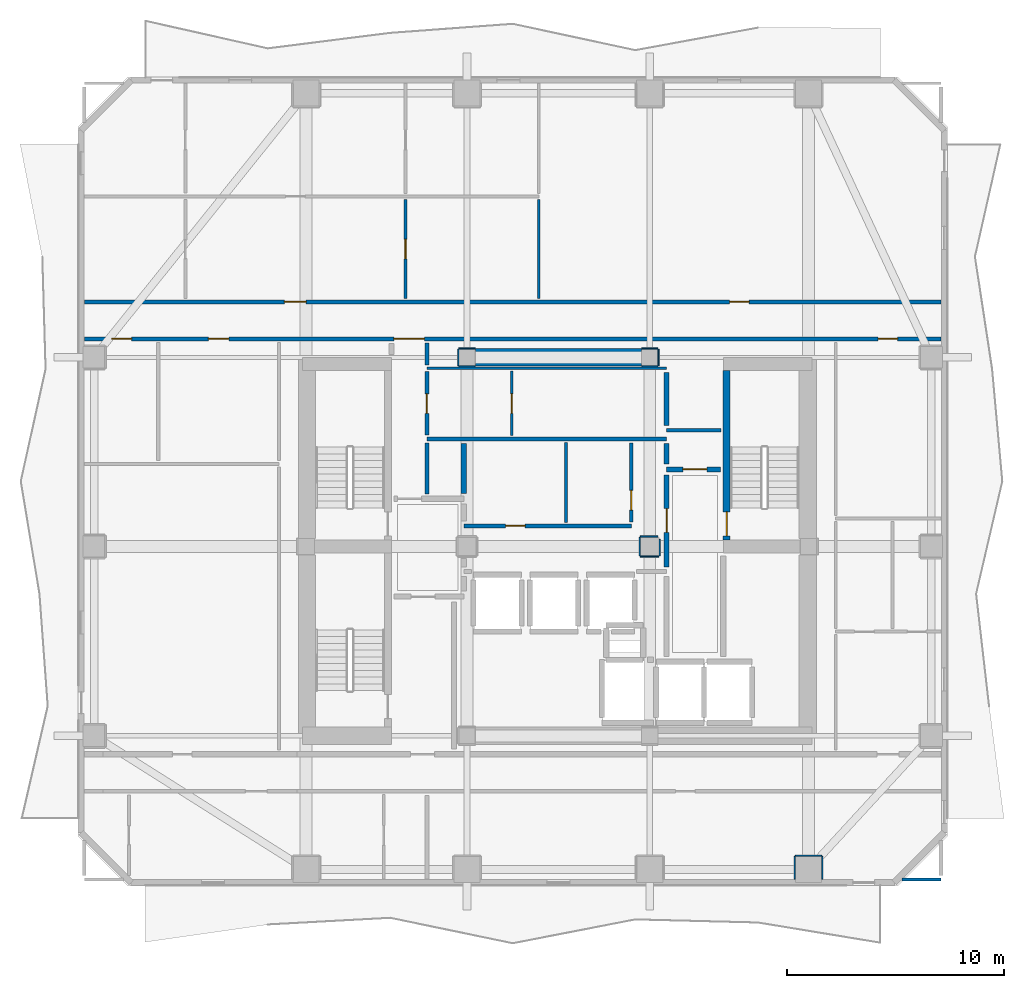
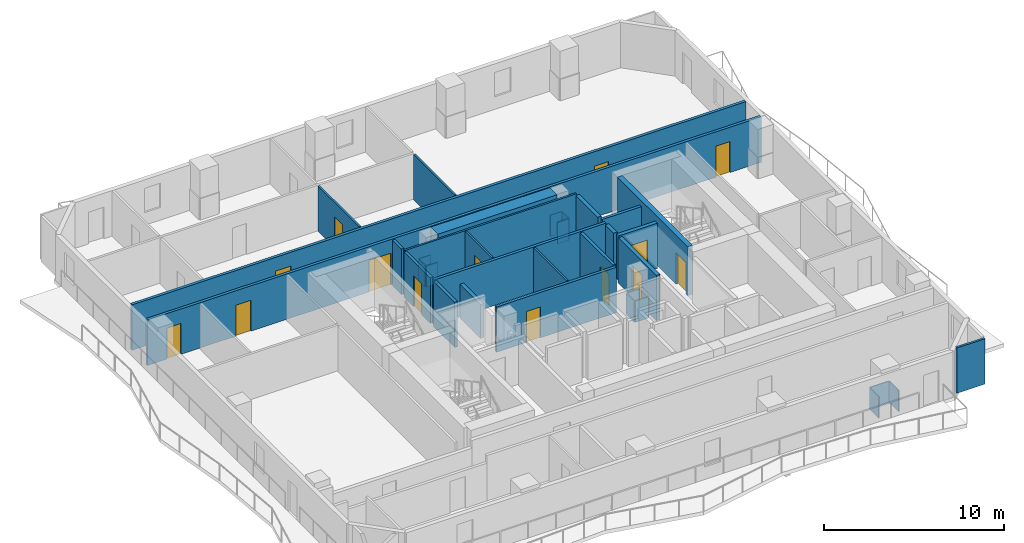
# One storey, part 4 of 10: 35 walls, 14 doors, 14 openings.
"""IFC4 building model written with IfcOpenShell, lengths in metres."""

from ifc_helpers import new_model, si_unit, direction, frame, frame_2d, origin, place, context, subcontext, project, spatial, rectangle, extrude, material, layer, layer_set, type_object, element, fill, save


model = new_model("IFC4")

# Units and contexts
model_context = context("Model", 3, precision=1e-05, world=origin(), true_north=direction((0.0, 1.0)))
body_context = subcontext(model_context, "Body", "Model", "MODEL_VIEW")
ifc_project = project(units=[si_unit("LENGTHUNIT", "METRE"), si_unit("AREAUNIT", "SQUARE_METRE"), si_unit("VOLUMEUNIT", "CUBIC_METRE"), si_unit("PLANEANGLEUNIT", "RADIAN"), si_unit("MASSUNIT", "GRAM", prefix="KILO")], contexts=[model_context])

# Site, building, storey
site_placement = place(None, origin())
site = spatial("IfcSite", under=ifc_project, at=site_placement, CompositionType="ELEMENT")
building_placement = place(site_placement, origin())
building = spatial("IfcBuilding", under=site, at=building_placement, Name="Solanera Arch Residences", CompositionType="ELEMENT")
storey_placement = place(building_placement, frame((0.0, 0.0, 183.52001953125)))
storey = spatial("IfcBuildingStorey", under=building, at=storey_placement, Name="L53", CompositionType="ELEMENT", Elevation=183.52001953125)

# Walls
ifc_material_1 = material(Name="Fire-Rated Gypsum Stud Partition", Category="gypsum")
ifc_layer_1 = layer(ifc_material_1, 0.06005859375)
ifc_layer_set_1 = layer_set([ifc_layer_1], Name="Fire-Rated Gypsum Stud Partition")
wall_type_1 = type_object("IfcWallType", Name="Column Acoustic Furring Wall 60", PredefinedType="PARTITIONING", material=ifc_layer_set_1)
for number, where, z_axis, x_axis, name in (
    (1, (20.425048828125, 38.992919921875, 0.0), (0.0, 0.0, 1.0), (1.0, 0.0, 0.0), "L53 Column Furring 3S"),
    (2, (20.425048828125, 39.806884765625, 0.0), (0.0, 0.0, 1.0), (1.0, 0.0, 0.0), "L53 Column Furring 3N"),
):
    element("IfcWall", number, at=place(storey_placement, frame(where, z_axis=z_axis, x_axis=x_axis)), inside=storey, type_object=wall_type_1, Name=name, PredefinedType="PARTITIONING", context=body_context, shape_type="SweptSolid", body=[
        extrude(rectangle(XDim=0.741943359375, YDim=0.06005859375, at=frame_2d((0.37109375, 0.0))), origin(), (0.0, 0.0, 1.0), 1.449951171875),
    ])
wall_1_placement = place(storey_placement, frame((20.39306640625, 39.02490234375, 0.0), z_axis=(0.0, 0.0, 1.0), x_axis=(0.0, 1.0, 0.0)))
element("IfcWall", 3, at=wall_1_placement, inside=storey, type_object=wall_type_1, Name="L53 Column Furring 3W", PredefinedType="PARTITIONING", context=body_context, shape_type="SweptSolid", body=[
    extrude(rectangle(XDim=0.75, YDim=0.06005859375, at=frame_2d((0.375, 0.0))), origin(), (0.0, 0.0, 1.0), 1.449951171875),
])
for number, where, z_axis, x_axis, name in (
    (4, (28.8330078125, 38.992919921875, 0.0), (0.0, 0.0, 1.0), (1.0, 0.0, 0.0), "L53 Column Furring 4S"),
    (5, (28.8330078125, 39.806884765625, 0.0), (0.0, 0.0, 1.0), (1.0, 0.0, 0.0), "L53 Column Furring 4N"),
):
    element("IfcWall", number, at=place(storey_placement, frame(where, z_axis=z_axis, x_axis=x_axis)), inside=storey, type_object=wall_type_1, Name=name, PredefinedType="PARTITIONING", context=body_context, shape_type="SweptSolid", body=[
        extrude(rectangle(XDim=0.741943359375, YDim=0.06005859375, at=frame_2d((0.37109375, 0.0))), origin(), (0.0, 0.0, 1.0), 1.449951171875),
    ])
wall_2_placement = place(storey_placement, frame((29.60693359375, 39.02490234375, 0.0), z_axis=(0.0, 0.0, 1.0), x_axis=(0.0, 1.0, 0.0)))
element("IfcWall", 6, at=wall_2_placement, inside=storey, type_object=wall_type_1, Name="L53 Column Furring 4E", PredefinedType="PARTITIONING", context=body_context, shape_type="SweptSolid", body=[
    extrude(rectangle(XDim=0.75, YDim=0.06005859375, at=frame_2d((0.375, 0.0))), origin(), (0.0, 0.0, 1.0), 1.449951171875),
])
wall_3_placement = place(storey_placement, frame((28.77490234375, 30.242919921875, 0.0), z_axis=(0.0, 0.0, 1.0), x_axis=(1.0, 0.0, 0.0)))
element("IfcWall", 7, at=wall_3_placement, inside=storey, type_object=wall_type_1, Name="L53 Column Furring 8S", PredefinedType="PARTITIONING", context=body_context, shape_type="SweptSolid", body=[
    extrude(rectangle(XDim=0.85009765625, YDim=0.06005859375, at=frame_2d((0.425048828125, 0.0))), origin(), (0.0, 0.0, 1.0), 1.449951171875),
])
wall_4_placement = place(storey_placement, frame((28.77490234375, 31.156982421875, 0.0), z_axis=(0.0, 0.0, 1.0), x_axis=(1.0, 0.0, 0.0)))
element("IfcWall", 8, at=wall_4_placement, inside=storey, type_object=wall_type_1, Name="L53 Column Furring 8N", PredefinedType="PARTITIONING", context=body_context, shape_type="SweptSolid", body=[
    extrude(rectangle(XDim=0.794189453125, YDim=0.06005859375, at=frame_2d((0.39697265625, 0.0))), origin(), (0.0, 0.0, 1.0), 1.449951171875),
])
wall_5_placement = place(storey_placement, frame((28.742919921875, 30.27490234375, 0.0), z_axis=(0.0, 0.0, 1.0), x_axis=(0.0, 1.0, 0.0)))
element("IfcWall", 9, at=wall_5_placement, inside=storey, type_object=wall_type_1, Name="L53 Column Furring 8W", PredefinedType="PARTITIONING", context=body_context, shape_type="SweptSolid", body=[
    extrude(rectangle(XDim=0.85009765625, YDim=0.06005859375, at=frame_2d((0.425048828125, 0.0))), origin(), (0.0, 0.0, 1.0), 1.449951171875),
])
wall_6_placement = place(storey_placement, frame((29.656982421875, 30.27490234375, 0.0), z_axis=(0.0, 0.0, 1.0), x_axis=(0.0, 1.0, 0.0)))
element("IfcWall", 10, at=wall_6_placement, inside=storey, type_object=wall_type_1, Name="L53 Column Furring 8E", PredefinedType="PARTITIONING", context=body_context, shape_type="SweptSolid", body=[
    extrude(rectangle(XDim=0.757080078125, YDim=0.06005859375, at=frame_2d((0.37841796875, 0.0))), origin(), (0.0, 0.0, 1.0), 1.449951171875),
])
wall_7_placement = place(storey_placement, frame((35.89990234375, 16.48193359375, 0.0), z_axis=(0.0, 0.0, 1.0), x_axis=(1.0, 0.0, 0.0)))
element("IfcWall", 11, at=wall_7_placement, inside=storey, type_object=wall_type_1, Name="L53 Column Furring 15N", PredefinedType="PARTITIONING", context=body_context, shape_type="SweptSolid", body=[
    extrude(rectangle(XDim=1.2001953125, YDim=0.06005859375, at=frame_2d((0.60009765625, 0.0))), origin(), (0.0, 0.0, 1.0), 1.449951171875),
])
for number, where, z_axis, x_axis, name in (
    (12, (35.867919921875, 15.409912109375, 0.0), (0.0, 0.0, 1.0), (0.0, 1.0, 0.0), "L53 Column Furring 15W"),
    (13, (37.132080078125, 15.409912109375, 0.0), (0.0, 0.0, 1.0), (0.0, 1.0, 0.0), "L53 Column Furring 15E"),
):
    element("IfcWall", number, at=place(storey_placement, frame(where, z_axis=z_axis, x_axis=x_axis)), inside=storey, type_object=wall_type_1, Name=name, PredefinedType="PARTITIONING", context=body_context, shape_type="SweptSolid", body=[
        extrude(rectangle(XDim=1.0400390625, YDim=0.06005859375, at=frame_2d((0.52001953125, 0.0))), origin(), (0.0, 0.0, 1.0), 1.449951171875),
    ])

# Wall, opening, door
ifc_material_2 = material(Name="Concrete C40/50 (f'c = 45 MPa)", Category="concrete")
ifc_layer_2 = layer(ifc_material_2, 0.320068359375)
ifc_layer_set_2 = layer_set([ifc_layer_2], Name="Concrete C40/50 (f'c = 45 MPa)")
wall_type_2 = type_object("IfcWallType", Name="Core Shear Wall CW-320", PredefinedType="SHEAR", material=ifc_layer_set_2)
wall_8_placement = place(storey_placement, frame((32.739990234375, 31.0, 0.0), z_axis=(0.0, 0.0, 1.0), x_axis=(0.0, 1.0, 0.0)))
wall_8 = element("IfcWall", 14, at=wall_8_placement, inside=storey, type_object=wall_type_2, Name="L53 Stair ST-T2 West Shear Wall", PredefinedType="SHEAR", context=body_context, shape_type="SweptSolid", body=[
    extrude(rectangle(XDim=7.800048828125, YDim=0.320068359375, at=frame_2d((3.89990234375, 0.0))), origin(), (0.0, 0.0, 1.0), 3.320068359375),
])
opening_1_placement = place(wall_8_placement, frame((0.18994140625, 0.0, 0.0)))
opening_1 = element("IfcOpeningElement", 15, at=opening_1_placement, cuts=wall_8, Name="Opening DF-01", PredefinedType="OPENING", context=body_context, shape_type="SweptSolid", body=[
    extrude(rectangle(XDim=1.10009765625, YDim=2.14990234375, at=frame_2d((0.550048828125, 1.074951171875))), frame((0.0, 0.169921875, 0.0), z_axis=(0.0, -1.0, 0.0), x_axis=(1.0, 0.0, 0.0)), (0.0, 0.0, 1.0), 0.3401),
])
ifc_material_3 = material(Name="Fire-Rated Architectural Hardwood", Category="wood")
door_type_1 = type_object("IfcDoorType", Name="Stair Exit Fire Door DF-01", OperationType="NOTDEFINED", PredefinedType="DOOR", material=ifc_material_3)
door_1_placement = place(opening_1_placement, origin())
door_1 = element("IfcDoor", 16, at=door_1_placement, inside=storey, type_object=door_type_1, Name="DR-L53-STAIR-ST-T2", OperationType="SINGLE_SWING_LEFT", OverallHeight=2.14990234375, OverallWidth=1.10009765625, PredefinedType="DOOR", context=body_context, shape_type="SweptSolid", body=[
    extrude(rectangle(XDim=1.10009765625, YDim=2.14990234375, at=frame_2d((0.550048828125, 1.074951171875))), frame((0.0, 0.02490234375, 0.0), z_axis=(0.0, -1.0, 0.0), x_axis=(1.0, 0.0, 0.0)), (0.0, 0.0, 1.0), 0.050048828125),
])
fill(opening_1, door_1)

# Wall
ifc_material_4 = material(Name="Concrete C40/50 (f'c = 45 MPa)", Category="concrete")
ifc_layer_3 = layer(ifc_material_4, 0.800048828125)
ifc_layer_set_3 = layer_set([ifc_layer_3], Name="Concrete C40/50 (f'c = 45 MPa)")
wall_type_3 = type_object("IfcWallType", Name="Core Shear Wall CW-800", PredefinedType="SHEAR", material=ifc_layer_set_3)
wall_9_placement = place(storey_placement, frame((21.179931640625, 39.39990234375, 0.0), z_axis=(0.0, 0.0, 1.0), x_axis=(1.0, 0.0, 0.0)))
element("IfcWall", 17, at=wall_9_placement, inside=storey, type_object=wall_type_3, Name="L53 Central North Core Shear Wall", PredefinedType="SHEAR", context=body_context, shape_type="SweptSolid", body=[
    extrude(rectangle(XDim=7.64013671875, YDim=0.800048828125, at=frame_2d((3.820068359375, 0.0))), origin(), (0.0, 0.0, 1.0), 3.320068359375),
])

# Wall, opening, door
ifc_material_5 = material(Name="Autoclaved Aerated Concrete Blockwork", Category="masonry")
ifc_layer_4 = layer(ifc_material_5, 0.179931640625)
ifc_layer_set_4 = layer_set([ifc_layer_4], Name="Autoclaved Aerated Concrete Blockwork")
wall_type_4 = type_object("IfcWallType", Name="Corridor Fire Partition 180", PredefinedType="PARTITIONING", material=ifc_layer_set_4)
wall_10_placement = place(storey_placement, frame((20.64990234375, 31.64990234375, 0.0), z_axis=(0.0, 0.0, 1.0), x_axis=(1.0, 0.0, 0.0)))
wall_10 = element("IfcWall", 18, at=wall_10_placement, inside=storey, type_object=wall_type_4, Name="L53 Interior Partition H8", PredefinedType="PARTITIONING", context=body_context, shape_type="SweptSolid", body=[
    extrude(rectangle(XDim=7.7001953125, YDim=0.179931640625, at=frame_2d((3.85009765625, 0.0))), origin(), (0.0, 0.0, 1.0), 3.080078125),
])
opening_2_placement = place(wall_10_placement, frame((1.924072265625, 0.0, 0.0)))
opening_2 = element("IfcOpeningElement", 19, at=opening_2_placement, cuts=wall_10, Name="Opening DI-02", PredefinedType="OPENING", context=body_context, shape_type="SweptSolid", body=[
    extrude(rectangle(XDim=0.89990234375, YDim=2.10009765625, at=frame_2d((0.449951171875, 1.050048828125))), frame((0.0, 0.10009765625, 0.0), z_axis=(0.0, -1.0, 0.0), x_axis=(1.0, 0.0, 0.0)), (0.0, 0.0, 1.0), 0.1999),
])
ifc_material_6 = material(Name="Fire-Rated Architectural Hardwood", Category="wood")
door_type_2 = type_object("IfcDoorType", Name="Suite Room Swing Door DI-02", OperationType="NOTDEFINED", PredefinedType="DOOR", material=ifc_material_6)
door_2_placement = place(opening_2_placement, origin())
door_2 = element("IfcDoor", 20, at=door_2_placement, inside=storey, type_object=door_type_2, Name="DR-L53-IN-012", OperationType="SINGLE_SWING_LEFT", OverallHeight=2.10009765625, OverallWidth=0.89990234375, PredefinedType="DOOR", context=body_context, shape_type="SweptSolid", body=[
    extrude(rectangle(XDim=0.89990234375, YDim=2.10009765625, at=frame_2d((0.449951171875, 1.050048828125))), frame((0.0, 0.02490234375, 0.0), z_axis=(0.0, -1.0, 0.0), x_axis=(1.0, 0.0, 0.0)), (0.0, 0.0, 1.0), 0.050048828125),
])
fill(opening_2, door_2)

# Walls
wall_11_placement = place(storey_placement, frame((18.949951171875, 35.64990234375, 0.0), z_axis=(0.0, 0.0, 1.0), x_axis=(1.0, 0.0, 0.0)))
element("IfcWall", 21, at=wall_11_placement, inside=storey, type_object=wall_type_4, Name="L53 Interior Partition H9", PredefinedType="PARTITIONING", context=body_context, shape_type="SweptSolid", body=[
    extrude(rectangle(XDim=11.025146484375, YDim=0.179931640625, at=frame_2d((5.5126953125, 0.0))), origin(), (0.0, 0.0, 1.0), 3.080078125),
])
wall_12_placement = place(storey_placement, frame((29.97509765625, 36.050048828125, 0.0), z_axis=(0.0, 0.0, 1.0), x_axis=(1.0, 0.0, 0.0)))
element("IfcWall", 22, at=wall_12_placement, inside=storey, type_object=wall_type_4, Name="L53 Interior Partition H10", PredefinedType="PARTITIONING", context=body_context, shape_type="SweptSolid", body=[
    extrude(rectangle(XDim=2.5048828125, YDim=0.179931640625, at=frame_2d((1.25244140625, 0.0))), origin(), (0.0, 0.0, 1.0), 3.080078125),
])

# Wall, openings, doors
wall_13_placement = place(storey_placement, frame((3.20703125, 40.25, 0.0), z_axis=(0.0, 0.0, 1.0), x_axis=(1.0, 0.0, 0.0)))
wall_13 = element("IfcWall", 23, at=wall_13_placement, inside=storey, type_object=wall_type_4, Name="L53 Interior Partition H11", PredefinedType="PARTITIONING", context=body_context, shape_type="SweptSolid", body=[
    extrude(rectangle(XDim=39.385986328125, YDim=0.179931640625, at=frame_2d((19.69287109375, 0.0))), origin(), (0.0, 0.0, 1.0), 3.080078125),
])
opening_3_placement = place(wall_13_placement, frame((14.22802734375, 0.0, 0.0)))
opening_3 = element("IfcOpeningElement", 24, at=opening_3_placement, cuts=wall_13, Name="Opening DF-03", PredefinedType="OPENING", context=body_context, shape_type="SweptSolid", body=[
    extrude(rectangle(XDim=1.39990234375, YDim=2.14990234375, at=frame_2d((0.699951171875, 1.074951171875))), frame((0.0, 0.10009765625, 0.0), z_axis=(0.0, -1.0, 0.0), x_axis=(1.0, 0.0, 0.0)), (0.0, 0.0, 1.0), 0.1999),
])
opening_4_placement = place(wall_13_placement, frame((1.26708984375, 0.0, 0.0)))
opening_4 = element("IfcOpeningElement", 25, at=opening_4_placement, cuts=wall_13, Name="Opening DI-02", PredefinedType="OPENING", context=body_context, shape_type="SweptSolid", body=[
    extrude(rectangle(XDim=0.89990234375, YDim=2.10009765625, at=frame_2d((0.449951171875, 1.050048828125))), frame((0.0, 0.10009765625, 0.0), z_axis=(0.0, -1.0, 0.0), x_axis=(1.0, 0.0, 0.0)), (0.0, 0.0, 1.0), 0.1999),
])
opening_5_placement = place(wall_13_placement, frame((5.694091796875, 0.0, 0.0)))
opening_5 = element("IfcOpeningElement", 26, at=opening_5_placement, cuts=wall_13, Name="Opening DI-04", PredefinedType="OPENING", context=body_context, shape_type="SweptSolid", body=[
    extrude(rectangle(XDim=0.949951171875, YDim=2.10009765625, at=frame_2d((0.47509765625, 1.050048828125))), frame((0.0, 0.10009765625, 0.0), z_axis=(0.0, -1.0, 0.0), x_axis=(1.0, 0.0, 0.0)), (0.0, 0.0, 1.0), 0.1999),
])
opening_6_placement = place(wall_13_placement, frame((36.493896484375, 0.0, 0.0)))
opening_6 = element("IfcOpeningElement", 27, at=opening_6_placement, cuts=wall_13, Name="Opening DI-02", PredefinedType="OPENING", context=body_context, shape_type="SweptSolid", body=[
    extrude(rectangle(XDim=0.89990234375, YDim=2.10009765625, at=frame_2d((0.449951171875, 1.050048828125))), frame((0.0, 0.10009765625, 0.0), z_axis=(0.0, -1.0, 0.0), x_axis=(1.0, 0.0, 0.0)), (0.0, 0.0, 1.0), 0.1999),
])
ifc_material_7 = material(Name="Fire-Rated Architectural Hardwood", Category="wood")
door_type_3 = type_object("IfcDoorType", Name="Accessible Restroom Door DI-04", OperationType="NOTDEFINED", PredefinedType="DOOR", material=ifc_material_7)
door_3_placement = place(opening_5_placement, origin())
door_3 = element("IfcDoor", 28, at=door_3_placement, inside=storey, type_object=door_type_3, Name="DR-L53-IN-027", OperationType="SINGLE_SWING_RIGHT", OverallHeight=2.10009765625, OverallWidth=0.949951171875, PredefinedType="DOOR", context=body_context, shape_type="SweptSolid", body=[
    extrude(rectangle(XDim=0.949951171875, YDim=2.10009765625, at=frame_2d((0.47509765625, 1.050048828125))), frame((0.0, 0.02490234375, 0.0), z_axis=(0.0, -1.0, 0.0), x_axis=(1.0, 0.0, 0.0)), (0.0, 0.0, 1.0), 0.050048828125),
])
fill(opening_5, door_3)
ifc_material_8 = material(Name="Fire-Rated Architectural Hardwood", Category="wood")
door_type_4 = type_object("IfcDoorType", Name="Corridor Smoke Door DF-03", OperationType="NOTDEFINED", PredefinedType="DOOR", material=ifc_material_8)
door_4_placement = place(opening_3_placement, origin())
door_4 = element("IfcDoor", 29, at=door_4_placement, inside=storey, type_object=door_type_4, Name="DR-L53-IN-009", OperationType="SINGLE_SWING_RIGHT", OverallHeight=2.14990234375, OverallWidth=1.39990234375, PredefinedType="DOOR", context=body_context, shape_type="SweptSolid", body=[
    extrude(rectangle(XDim=1.39990234375, YDim=2.14990234375, at=frame_2d((0.699951171875, 1.074951171875))), frame((0.0, 0.02490234375, 0.0), z_axis=(0.0, -1.0, 0.0), x_axis=(1.0, 0.0, 0.0)), (0.0, 0.0, 1.0), 0.050048828125),
])
fill(opening_3, door_4)
door_5_placement = place(opening_4_placement, origin())
door_5 = element("IfcDoor", 30, at=door_5_placement, inside=storey, type_object=door_type_2, Name="DR-L53-IN-026", OperationType="SINGLE_SWING_LEFT", OverallHeight=2.10009765625, OverallWidth=0.89990234375, PredefinedType="DOOR", context=body_context, shape_type="SweptSolid", body=[
    extrude(rectangle(XDim=0.89990234375, YDim=2.10009765625, at=frame_2d((0.449951171875, 1.050048828125))), frame((0.0, 0.02490234375, 0.0), z_axis=(0.0, -1.0, 0.0), x_axis=(1.0, 0.0, 0.0)), (0.0, 0.0, 1.0), 0.050048828125),
])
fill(opening_4, door_5)
door_6_placement = place(opening_6_placement, origin())
door_6 = element("IfcDoor", 31, at=door_6_placement, inside=storey, type_object=door_type_2, Name="DR-L53-IN-031", OperationType="SINGLE_SWING_RIGHT", OverallHeight=2.10009765625, OverallWidth=0.89990234375, PredefinedType="DOOR", context=body_context, shape_type="SweptSolid", body=[
    extrude(rectangle(XDim=0.89990234375, YDim=2.10009765625, at=frame_2d((0.449951171875, 1.050048828125))), frame((0.0, 0.02490234375, 0.0), z_axis=(0.0, -1.0, 0.0), x_axis=(1.0, 0.0, 0.0)), (0.0, 0.0, 1.0), 0.050048828125),
])
fill(opening_6, door_6)

wall_14_placement = place(storey_placement, frame((3.20703125, 41.949951171875, 0.0), z_axis=(0.0, 0.0, 1.0), x_axis=(1.0, 0.0, 0.0)))
wall_14 = element("IfcWall", 32, at=wall_14_placement, inside=storey, type_object=wall_type_4, Name="L53 Interior Partition H12", PredefinedType="PARTITIONING", context=body_context, shape_type="SweptSolid", body=[
    extrude(rectangle(XDim=39.385986328125, YDim=0.179931640625, at=frame_2d((19.69287109375, 0.0))), origin(), (0.0, 0.0, 1.0), 3.080078125),
])
opening_7_placement = place(wall_14_placement, frame((9.198974609375, 0.0, 0.0)))
opening_7 = element("IfcOpeningElement", 33, at=opening_7_placement, cuts=wall_14, Name="Opening DI-01", PredefinedType="OPENING", context=body_context, shape_type="SweptSolid", body=[
    extrude(rectangle(XDim=1.0, YDim=2.14990234375, at=frame_2d((0.5, 1.074951171875))), frame((0.0, 0.10009765625, 0.0), z_axis=(0.0, -1.0, 0.0), x_axis=(1.0, 0.0, 0.0)), (0.0, 0.0, 1.0), 0.1999),
])
opening_8_placement = place(wall_14_placement, frame((29.66796875, 0.0, 0.0)))
opening_8 = element("IfcOpeningElement", 34, at=opening_8_placement, cuts=wall_14, Name="Opening DI-02", PredefinedType="OPENING", context=body_context, shape_type="SweptSolid", body=[
    extrude(rectangle(XDim=0.89990234375, YDim=2.10009765625, at=frame_2d((0.449951171875, 1.050048828125))), frame((0.0, 0.10009765625, 0.0), z_axis=(0.0, -1.0, 0.0), x_axis=(1.0, 0.0, 0.0)), (0.0, 0.0, 1.0), 0.1999),
])
door_7_placement = place(opening_8_placement, origin())
door_7 = element("IfcDoor", 35, at=door_7_placement, inside=storey, type_object=door_type_2, Name="DR-L53-IN-024", OperationType="SINGLE_SWING_LEFT", OverallHeight=2.10009765625, OverallWidth=0.89990234375, PredefinedType="DOOR", context=body_context, shape_type="SweptSolid", body=[
    extrude(rectangle(XDim=0.89990234375, YDim=2.10009765625, at=frame_2d((0.449951171875, 1.050048828125))), frame((0.0, 0.02490234375, 0.0), z_axis=(0.0, -1.0, 0.0), x_axis=(1.0, 0.0, 0.0)), (0.0, 0.0, 1.0), 0.050048828125),
])
fill(opening_8, door_7)
ifc_material_9 = material(Name="Fire-Rated Architectural Hardwood", Category="wood")
door_type_5 = type_object("IfcDoorType", Name="Unit Entrance Fire Door DI-01", OperationType="NOTDEFINED", PredefinedType="DOOR", material=ifc_material_9)
door_8_placement = place(opening_7_placement, origin())
door_8 = element("IfcDoor", 36, at=door_8_placement, inside=storey, type_object=door_type_5, Name="DR-L53-IN-018", OperationType="SINGLE_SWING_LEFT", OverallHeight=2.14990234375, OverallWidth=1.0, PredefinedType="DOOR", context=body_context, shape_type="SweptSolid", body=[
    extrude(rectangle(XDim=1.0, YDim=2.14990234375, at=frame_2d((0.5, 1.074951171875))), frame((0.0, 0.02490234375, 0.0), z_axis=(0.0, -1.0, 0.0), x_axis=(1.0, 0.0, 0.0)), (0.0, 0.0, 1.0), 0.050048828125),
])
fill(opening_7, door_8)

# Wall
wall_15_placement = place(storey_placement, frame((18.949951171875, 33.117919921875, 0.0), z_axis=(0.0, 0.0, 1.0), x_axis=(0.0, 1.0, 0.0)))
element("IfcWall", 37, at=wall_15_placement, inside=storey, type_object=wall_type_4, Name="L53 Interior Partition V8 1", PredefinedType="PARTITIONING", context=body_context, shape_type="SweptSolid", body=[
    extrude(rectangle(XDim=2.343994140625, YDim=0.179931640625, at=frame_2d((1.171875, 0.0))), origin(), (0.0, 0.0, 1.0), 3.080078125),
])

# Wall, opening, door
wall_16_placement = place(storey_placement, frame((18.949951171875, 35.837890625, 0.0), z_axis=(0.0, 0.0, 1.0), x_axis=(0.0, 1.0, 0.0)))
wall_16 = element("IfcWall", 38, at=wall_16_placement, inside=storey, type_object=wall_type_4, Name="L53 Interior Partition V8 2", PredefinedType="PARTITIONING", context=body_context, shape_type="SweptSolid", body=[
    extrude(rectangle(XDim=2.904052734375, YDim=0.179931640625, at=frame_2d((1.4521484375, 0.0))), origin(), (0.0, 0.0, 1.0), 3.080078125),
])
opening_9_placement = place(wall_16_placement, frame((0.987060546875, 0.0, 0.0)))
opening_9 = element("IfcOpeningElement", 39, at=opening_9_placement, cuts=wall_16, Name="Opening DI-02", PredefinedType="OPENING", context=body_context, shape_type="SweptSolid", body=[
    extrude(rectangle(XDim=0.89990234375, YDim=2.10009765625, at=frame_2d((0.449951171875, 1.050048828125))), frame((0.0, 0.10009765625, 0.0), z_axis=(0.0, -1.0, 0.0), x_axis=(1.0, 0.0, 0.0)), (0.0, 0.0, 1.0), 0.1999),
])
door_9_placement = place(opening_9_placement, origin())
door_9 = element("IfcDoor", 40, at=door_9_placement, inside=storey, type_object=door_type_2, Name="DR-L53-IN-010", OperationType="SINGLE_SWING_LEFT", OverallHeight=2.10009765625, OverallWidth=0.89990234375, PredefinedType="DOOR", context=body_context, shape_type="SweptSolid", body=[
    extrude(rectangle(XDim=0.89990234375, YDim=2.10009765625, at=frame_2d((0.449951171875, 1.050048828125))), frame((0.0, 0.02490234375, 0.0), z_axis=(0.0, -1.0, 0.0), x_axis=(1.0, 0.0, 0.0)), (0.0, 0.0, 1.0), 0.050048828125),
])
fill(opening_9, door_9)

# Wall
wall_17_placement = place(storey_placement, frame((18.949951171875, 39.05810546875, 0.0), z_axis=(0.0, 0.0, 1.0), x_axis=(0.0, 1.0, 0.0)))
element("IfcWall", 41, at=wall_17_placement, inside=storey, type_object=wall_type_4, Name="L53 Interior Partition V8 3", PredefinedType="PARTITIONING", context=body_context, shape_type="SweptSolid", body=[
    extrude(rectangle(XDim=1.00390625, YDim=0.179931640625, at=frame_2d((0.501953125, 0.0))), origin(), (0.0, 0.0, 1.0), 3.080078125),
])

# Wall, opening, door
wall_18_placement = place(storey_placement, frame((28.35009765625, 31.837890625, 0.0), z_axis=(0.0, 0.0, 1.0), x_axis=(0.0, 1.0, 0.0)))
wall_18 = element("IfcWall", 42, at=wall_18_placement, inside=storey, type_object=wall_type_4, Name="L53 Interior Partition V9", PredefinedType="PARTITIONING", context=body_context, shape_type="SweptSolid", body=[
    extrude(rectangle(XDim=3.6240234375, YDim=0.179931640625, at=frame_2d((1.81201171875, 0.0))), origin(), (0.0, 0.0, 1.0), 3.080078125),
])
opening_10_placement = place(wall_18_placement, frame((0.541015625, 0.0, 0.0)))
opening_10 = element("IfcOpeningElement", 43, at=opening_10_placement, cuts=wall_18, Name="Opening DI-02", PredefinedType="OPENING", context=body_context, shape_type="SweptSolid", body=[
    extrude(rectangle(XDim=0.89990234375, YDim=2.10009765625, at=frame_2d((0.449951171875, 1.050048828125))), frame((0.0, 0.10009765625, 0.0), z_axis=(0.0, -1.0, 0.0), x_axis=(1.0, 0.0, 0.0)), (0.0, 0.0, 1.0), 0.1999),
])
door_10_placement = place(opening_10_placement, origin())
door_10 = element("IfcDoor", 44, at=door_10_placement, inside=storey, type_object=door_type_2, Name="DR-L53-IN-013", OperationType="SINGLE_SWING_RIGHT", OverallHeight=2.10009765625, OverallWidth=0.89990234375, PredefinedType="DOOR", context=body_context, shape_type="SweptSolid", body=[
    extrude(rectangle(XDim=0.89990234375, YDim=2.10009765625, at=frame_2d((0.449951171875, 1.050048828125))), frame((0.0, 0.02490234375, 0.0), z_axis=(0.0, -1.0, 0.0), x_axis=(1.0, 0.0, 0.0)), (0.0, 0.0, 1.0), 0.050048828125),
])
fill(opening_10, door_10)

ifc_material_10 = material(Name="Autoclaved Aerated Concrete Blockwork", Category="masonry")
ifc_layer_5 = layer(ifc_material_10, 0.239990234375)
ifc_layer_set_5 = layer_set([ifc_layer_5], Name="Autoclaved Aerated Concrete Blockwork")
wall_type_5 = type_object("IfcWallType", Name="Shaft Wall Fire-Rated 240", PredefinedType="PARTITIONING", material=ifc_layer_set_5)
wall_19_placement = place(storey_placement, frame((29.97509765625, 34.25, 0.0), z_axis=(0.0, 0.0, 1.0), x_axis=(1.0, 0.0, 0.0)))
wall_19 = element("IfcWall", 45, at=wall_19_placement, inside=storey, type_object=wall_type_5, Name="L53 Interior Partition H5", PredefinedType="PARTITIONING", context=body_context, shape_type="SweptSolid", body=[
    extrude(rectangle(XDim=2.474853515625, YDim=0.239990234375, at=frame_2d((1.2373046875, 0.0))), origin(), (0.0, 0.0, 1.0), 3.080078125),
])
opening_11_placement = place(wall_19_placement, frame((0.751953125, 0.0, 0.0)))
opening_11 = element("IfcOpeningElement", 46, at=opening_11_placement, cuts=wall_19, Name="Opening DF-02", PredefinedType="OPENING", context=body_context, shape_type="SweptSolid", body=[
    extrude(rectangle(XDim=1.10009765625, YDim=2.14990234375, at=frame_2d((0.550048828125, 1.074951171875))), frame((0.0, 0.1298828125, 0.0), z_axis=(0.0, -1.0, 0.0), x_axis=(1.0, 0.0, 0.0)), (0.0, 0.0, 1.0), 0.26),
])
ifc_material_11 = material(Name="Fire-Rated Architectural Hardwood", Category="wood")
door_type_6 = type_object("IfcDoorType", Name="Firefighting Lobby Fire Door DF-02", OperationType="NOTDEFINED", PredefinedType="DOOR", material=ifc_material_11)
door_11_placement = place(opening_11_placement, origin())
door_11 = element("IfcDoor", 47, at=door_11_placement, inside=storey, type_object=door_type_6, Name="DR-L53-IN-007", OperationType="SINGLE_SWING_RIGHT", OverallHeight=2.14990234375, OverallWidth=1.10009765625, PredefinedType="DOOR", context=body_context, shape_type="SweptSolid", body=[
    extrude(rectangle(XDim=1.10009765625, YDim=2.14990234375, at=frame_2d((0.550048828125, 1.074951171875))), frame((0.0, 0.02490234375, 0.0), z_axis=(0.0, -1.0, 0.0), x_axis=(1.0, 0.0, 0.0)), (0.0, 0.0, 1.0), 0.050048828125),
])
fill(opening_11, door_11)

# Wall
wall_20_placement = place(storey_placement, frame((20.64990234375, 33.14794921875, 0.0), z_axis=(0.0, 0.0, 1.0), x_axis=(0.0, 1.0, 0.0)))
element("IfcWall", 48, at=wall_20_placement, inside=storey, type_object=wall_type_5, Name="L53 Interior Partition V3 4", PredefinedType="PARTITIONING", context=body_context, shape_type="SweptSolid", body=[
    extrude(rectangle(XDim=2.283935546875, YDim=0.239990234375, at=frame_2d((1.14208984375, 0.0))), origin(), (0.0, 0.0, 1.0), 2.31494140625),
])

# Wall, opening, door
wall_21_placement = place(storey_placement, frame((29.97509765625, 29.76806640625, 0.0), z_axis=(0.0, 0.0, 1.0), x_axis=(0.0, 1.0, 0.0)))
wall_21 = element("IfcWall", 49, at=wall_21_placement, inside=storey, type_object=wall_type_5, Name="L53 Interior Partition V4 2", PredefinedType="PARTITIONING", context=body_context, shape_type="SweptSolid", body=[
    extrude(rectangle(XDim=4.23388671875, YDim=0.239990234375, at=frame_2d((2.116943359375, 0.0))), origin(), (0.0, 0.0, 1.0), 3.080078125),
])
opening_12_placement = place(wall_21_placement, frame((1.58203125, 0.0, 0.0)))
opening_12 = element("IfcOpeningElement", 50, at=opening_12_placement, cuts=wall_21, Name="Opening DF-02", PredefinedType="OPENING", context=body_context, shape_type="SweptSolid", body=[
    extrude(rectangle(XDim=1.10009765625, YDim=2.14990234375, at=frame_2d((0.550048828125, 1.074951171875))), frame((0.0, 0.1298828125, 0.0), z_axis=(0.0, -1.0, 0.0), x_axis=(1.0, 0.0, 0.0)), (0.0, 0.0, 1.0), 0.26),
])
door_12_placement = place(opening_12_placement, origin())
door_12 = element("IfcDoor", 51, at=door_12_placement, inside=storey, type_object=door_type_6, Name="DR-L53-IN-006", OperationType="SINGLE_SWING_LEFT", OverallHeight=2.14990234375, OverallWidth=1.10009765625, PredefinedType="DOOR", context=body_context, shape_type="SweptSolid", body=[
    extrude(rectangle(XDim=1.10009765625, YDim=2.14990234375, at=frame_2d((0.550048828125, 1.074951171875))), frame((0.0, 0.02490234375, 0.0), z_axis=(0.0, -1.0, 0.0), x_axis=(1.0, 0.0, 0.0)), (0.0, 0.0, 1.0), 0.050048828125),
])
fill(opening_12, door_12)

# Walls
wall_22_placement = place(storey_placement, frame((29.97509765625, 34.498046875, 0.0), z_axis=(0.0, 0.0, 1.0), x_axis=(0.0, 1.0, 0.0)))
element("IfcWall", 52, at=wall_22_placement, inside=storey, type_object=wall_type_5, Name="L53 Interior Partition V4 3", PredefinedType="PARTITIONING", context=body_context, shape_type="SweptSolid", body=[
    extrude(rectangle(XDim=0.933837890625, YDim=0.239990234375, at=frame_2d((0.466796875, 0.0))), origin(), (0.0, 0.0, 1.0), 3.080078125),
])
wall_23_placement = place(storey_placement, frame((29.97509765625, 36.26806640625, 0.0), z_axis=(0.0, 0.0, 1.0), x_axis=(0.0, 1.0, 0.0)))
element("IfcWall", 53, at=wall_23_placement, inside=storey, type_object=wall_type_5, Name="L53 Interior Partition V4 4", PredefinedType="PARTITIONING", context=body_context, shape_type="SweptSolid", body=[
    extrude(rectangle(XDim=2.44384765625, YDim=0.239990234375, at=frame_2d((1.221923828125, 0.0))), origin(), (0.0, 0.0, 1.0), 3.080078125),
])
ifc_material_12 = material(Name="Fire-Rated Gypsum Stud Partition", Category="gypsum")
ifc_layer_6 = layer(ifc_material_12, 0.1201171875)
ifc_layer_set_6 = layer_set([ifc_layer_6], Name="Fire-Rated Gypsum Stud Partition")
wall_type_6 = type_object("IfcWallType", Name="Unit Drywall Partition 120", PredefinedType="PARTITIONING", material=ifc_layer_set_6)
wall_24_placement = place(storey_placement, frame((18.949951171875, 38.89990234375, 0.0), z_axis=(0.0, 0.0, 1.0), x_axis=(1.0, 0.0, 0.0)))
element("IfcWall", 54, at=wall_24_placement, inside=storey, type_object=wall_type_6, Name="L53 Interior Partition H18", PredefinedType="PARTITIONING", context=body_context, shape_type="SweptSolid", body=[
    extrude(rectangle(XDim=11.025146484375, YDim=0.1201171875, at=frame_2d((5.5126953125, 0.0))), origin(), (0.0, 0.0, 1.0), 3.080078125),
])

# Wall, opening, door
wall_25_placement = place(storey_placement, frame((17.968017578125, 42.10791015625, 0.0), z_axis=(0.0, 0.0, 1.0), x_axis=(0.0, 1.0, 0.0)))
wall_25 = element("IfcWall", 55, at=wall_25_placement, inside=storey, type_object=wall_type_6, Name="L53 Interior Partition V17 1", PredefinedType="PARTITIONING", context=body_context, shape_type="SweptSolid", body=[
    extrude(rectangle(XDim=4.55419921875, YDim=0.1201171875, at=frame_2d((2.277099609375, 0.0))), origin(), (0.0, 0.0, 1.0), 3.080078125),
])
opening_13_placement = place(wall_25_placement, frame((1.81689453125, 0.0, 0.0)))
opening_13 = element("IfcOpeningElement", 56, at=opening_13_placement, cuts=wall_25, Name="Opening DI-02", PredefinedType="OPENING", context=body_context, shape_type="SweptSolid", body=[
    extrude(rectangle(XDim=0.89990234375, YDim=2.10009765625, at=frame_2d((0.449951171875, 1.050048828125))), frame((0.0, 0.070068359375, 0.0), z_axis=(0.0, -1.0, 0.0), x_axis=(1.0, 0.0, 0.0)), (0.0, 0.0, 1.0), 0.1401),
])
door_13_placement = place(opening_13_placement, origin())
door_13 = element("IfcDoor", 57, at=door_13_placement, inside=storey, type_object=door_type_2, Name="DR-L53-IN-022", OperationType="SINGLE_SWING_LEFT", OverallHeight=2.10009765625, OverallWidth=0.89990234375, PredefinedType="DOOR", context=body_context, shape_type="SweptSolid", body=[
    extrude(rectangle(XDim=0.89990234375, YDim=2.10009765625, at=frame_2d((0.449951171875, 1.050048828125))), frame((0.0, 0.02490234375, 0.0), z_axis=(0.0, -1.0, 0.0), x_axis=(1.0, 0.0, 0.0)), (0.0, 0.0, 1.0), 0.050048828125),
])
fill(opening_13, door_13)

wall_26_placement = place(storey_placement, frame((22.85009765625, 35.80810546875, 0.0), z_axis=(0.0, 0.0, 1.0), x_axis=(0.0, 1.0, 0.0)))
wall_26 = element("IfcWall", 58, at=wall_26_placement, inside=storey, type_object=wall_type_6, Name="L53 Interior Partition V18", PredefinedType="PARTITIONING", context=body_context, shape_type="SweptSolid", body=[
    extrude(rectangle(XDim=2.9638671875, YDim=0.1201171875, at=frame_2d((1.48193359375, 0.0))), origin(), (0.0, 0.0, 1.0), 3.080078125),
])
opening_14_placement = place(wall_26_placement, frame((1.01708984375, 0.0, 0.0)))
opening_14 = element("IfcOpeningElement", 59, at=opening_14_placement, cuts=wall_26, Name="Opening DI-02", PredefinedType="OPENING", context=body_context, shape_type="SweptSolid", body=[
    extrude(rectangle(XDim=0.89990234375, YDim=2.10009765625, at=frame_2d((0.449951171875, 1.050048828125))), frame((0.0, 0.070068359375, 0.0), z_axis=(0.0, -1.0, 0.0), x_axis=(1.0, 0.0, 0.0)), (0.0, 0.0, 1.0), 0.1401),
])
door_14_placement = place(opening_14_placement, origin())
door_14 = element("IfcDoor", 60, at=door_14_placement, inside=storey, type_object=door_type_2, Name="DR-L53-IN-011", OperationType="SINGLE_SWING_RIGHT", OverallHeight=2.10009765625, OverallWidth=0.89990234375, PredefinedType="DOOR", context=body_context, shape_type="SweptSolid", body=[
    extrude(rectangle(XDim=0.89990234375, YDim=2.10009765625, at=frame_2d((0.449951171875, 1.050048828125))), frame((0.0, 0.02490234375, 0.0), z_axis=(0.0, -1.0, 0.0), x_axis=(1.0, 0.0, 0.0)), (0.0, 0.0, 1.0), 0.050048828125),
])
fill(opening_14, door_14)

# Walls
wall_27_placement = place(storey_placement, frame((24.097900390625, 42.10791015625, 0.0), z_axis=(0.0, 0.0, 1.0), x_axis=(0.0, 1.0, 0.0)))
element("IfcWall", 61, at=wall_27_placement, inside=storey, type_object=wall_type_6, Name="L53 Interior Partition V19 1", PredefinedType="PARTITIONING", context=body_context, shape_type="SweptSolid", body=[
    extrude(rectangle(XDim=4.55419921875, YDim=0.1201171875, at=frame_2d((2.277099609375, 0.0))), origin(), (0.0, 0.0, 1.0), 3.080078125),
])
wall_28_placement = place(storey_placement, frame((25.35009765625, 31.80810546875, 0.0), z_axis=(0.0, 0.0, 1.0), x_axis=(0.0, 1.0, 0.0)))
element("IfcWall", 62, at=wall_28_placement, inside=storey, type_object=wall_type_6, Name="L53 Interior Partition V20", PredefinedType="PARTITIONING", context=body_context, shape_type="SweptSolid", body=[
    extrude(rectangle(XDim=3.683837890625, YDim=0.1201171875, at=frame_2d((1.841796875, 0.0))), origin(), (0.0, 0.0, 1.0), 3.080078125),
])
ifc_material_13 = material(Name="Autoclaved Aerated Concrete Blockwork", Category="masonry")
ifc_layer_7 = layer(ifc_material_13, 0.139892578125)
ifc_layer_set_7 = layer_set([ifc_layer_7], Name="Autoclaved Aerated Concrete Blockwork")
wall_type_7 = type_object("IfcWallType", Name="Wet-Room Partition 140", PredefinedType="PARTITIONING", material=ifc_layer_set_7)
wall_29_placement = place(storey_placement, frame((40.804931640625, 15.39990234375, 0.0), z_axis=(0.0, 0.0, 1.0), x_axis=(1.0, 0.0, 0.0)))
element("IfcWall", 63, at=wall_29_placement, inside=storey, type_object=wall_type_7, Name="L53 Interior Partition H13 2", PredefinedType="PARTITIONING", context=body_context, shape_type="SweptSolid", body=[
    extrude(rectangle(XDim=1.795166015625, YDim=0.139892578125, at=frame_2d((0.8974609375, 0.0))), origin(), (0.0, 0.0, 1.0), 3.080078125),
])

save(model, "model.ifc")
